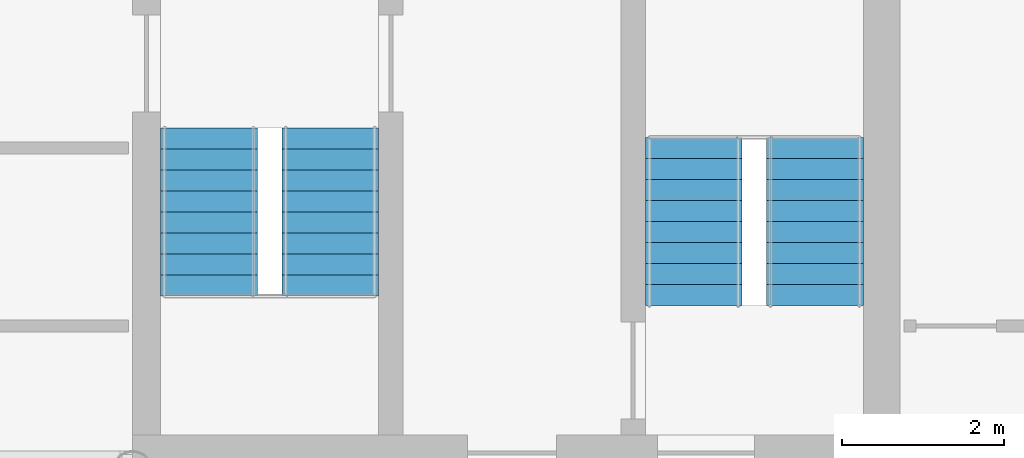
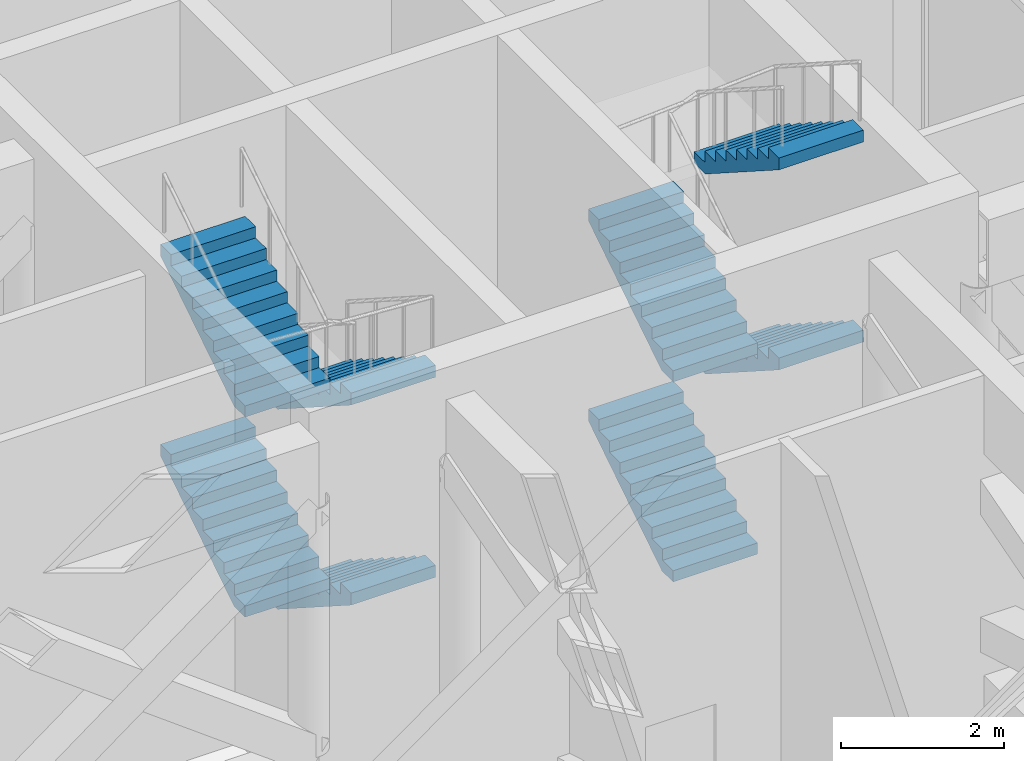
# One storey, part 17 of 21: 8 stair flights, 2 elements without a shape of their own.
"""IFC4 building model written with IfcOpenShell, lengths in metres."""

from ifc_helpers import new_model, si_unit, direction, frame, origin, place, context, subcontext, project, spatial, polyline, outline, extrude, material, type_object, element, aggregate, save


model = new_model("IFC4")

# Units and contexts
model_context = context("Model", 3, precision=1e-05, world=origin(), true_north=direction((0.0, 1.0)))
body_context = subcontext(model_context, "Body", "Model", "MODEL_VIEW")
ifc_project = project(units=[si_unit("LENGTHUNIT", "METRE"), si_unit("AREAUNIT", "SQUARE_METRE"), si_unit("VOLUMEUNIT", "CUBIC_METRE"), si_unit("PLANEANGLEUNIT", "RADIAN"), si_unit("MASSUNIT", "GRAM", prefix="KILO")], contexts=[model_context])

# Site, building, storey
site_placement = place(None, origin())
site = spatial("IfcSite", under=ifc_project, at=site_placement, CompositionType="ELEMENT")
building_placement = place(site_placement, origin())
building = spatial("IfcBuilding", under=site, at=building_placement, Name="Torana Hotel and Residences", CompositionType="ELEMENT")
storey_placement = place(building_placement, frame((0.0, 0.0, 246.60009765625)))
storey = spatial("IfcBuildingStorey", under=building, at=storey_placement, Name="L65", CompositionType="ELEMENT", Elevation=246.60009765625)

# Stair, stair flights
ifc_material_1 = material(Name="Concrete C40/50 precast", Category="concrete")
stair_type_1 = type_object("IfcStairType", Name="STAIR ST3 HALF TURN 1200", PredefinedType="HALF_TURN_STAIR", material=ifc_material_1)
stair_1_placement = place(storey_placement, origin())
stair_1 = element("IfcStair", 1, at=stair_1_placement, inside=storey, type_object=stair_type_1, Name="Stair ST3 L65", PredefinedType="HALF_TURN_STAIR")
ifc_material_2 = material(Name="Concrete C40/50 precast", Category="concrete")
stair_flight_type = type_object("IfcStairFlightType", Name="STAIR FLIGHT 1200 PRECAST", PredefinedType="STRAIGHT", material=ifc_material_2)
stair_flight_1_placement = place(storey_placement, frame((12.449951171875, -10.75, 0.0), z_axis=(0.0, 0.0, 1.0), x_axis=(0.0, -1.0, 0.0)))
stair_flight_1 = element("IfcStairFlight", 2, at=stair_flight_1_placement, type_object=stair_flight_type, Name="ST3 flight 1", NumberOfRisers=9, NumberOfTreads=8, PredefinedType="STRAIGHT", RiserHeight=0.166666667, TreadLength=0.26, context=body_context, shape_type="SweptSolid", body=[
    extrude(outline(polyline([(0.0, 0.0), (0.0, 0.166748046875), (0.260009765625, 0.166748046875), (0.260009765625, 0.333251953125), (0.52001953125, 0.333251953125), (0.52001953125, 0.5), (0.780029296875, 0.5), (0.780029296875, 0.666748046875), (1.0400390625, 0.666748046875), (1.0400390625, 0.833251953125), (1.300048828125, 0.833251953125), (1.300048828125, 1.0), (1.56005859375, 1.0), (1.56005859375, 1.166748046875), (1.820068359375, 1.166748046875), (1.820068359375, 1.333251953125), (2.080078125, 1.333251953125), (2.080078125, 1.5), (2.080078125, 1.1552734375), (0.27783203125, 0.0), (0.0, 0.0)])), frame((0.0, 0.60009765625, 0.0), z_axis=(0.0, -1.0, 0.0), x_axis=(1.0, 0.0, 0.0)), (0.0, 0.0, 1.0), 1.199951171875),
])
stair_flight_2_placement = place(storey_placement, frame((10.949951171875, -12.830078125, 1.5), z_axis=(0.0, 0.0, 1.0), x_axis=(0.0, 1.0, 0.0)))
stair_flight_2 = element("IfcStairFlight", 3, at=stair_flight_2_placement, type_object=stair_flight_type, Name="ST3 flight 2", NumberOfRisers=9, NumberOfTreads=8, PredefinedType="STRAIGHT", RiserHeight=0.166666667, TreadLength=0.26, context=body_context, shape_type="SweptSolid", body=[
    extrude(outline(polyline([(0.0, 0.0), (0.0, 0.166748046875), (0.260009765625, 0.166748046875), (0.260009765625, 0.333251953125), (0.52001953125, 0.333251953125), (0.52001953125, 0.5), (0.780029296875, 0.5), (0.780029296875, 0.666748046875), (1.0400390625, 0.666748046875), (1.0400390625, 0.833251953125), (1.300048828125, 0.833251953125), (1.300048828125, 1.0), (1.56005859375, 1.0), (1.56005859375, 1.166748046875), (1.820068359375, 1.166748046875), (1.820068359375, 1.333251953125), (2.080078125, 1.333251953125), (2.080078125, 1.5), (2.080078125, 1.1552734375), (0.27783203125, 0.0), (0.0, 0.0)])), frame((0.0, 0.60009765625, 0.0), z_axis=(0.0, -1.0, 0.0), x_axis=(1.0, 0.0, 0.0)), (0.0, 0.0, 1.0), 1.199951171875),
])
stair_flight_3_placement = place(storey_placement, frame((12.449951171875, -10.75, 3.0), z_axis=(0.0, 0.0, 1.0), x_axis=(0.0, -1.0, 0.0)))
stair_flight_3 = element("IfcStairFlight", 4, at=stair_flight_3_placement, type_object=stair_flight_type, Name="ST3 flight 3", NumberOfRisers=9, NumberOfTreads=8, PredefinedType="STRAIGHT", RiserHeight=0.166666667, TreadLength=0.26, context=body_context, shape_type="SweptSolid", body=[
    extrude(outline(polyline([(0.0, 0.0), (0.0, 0.166748046875), (0.260009765625, 0.166748046875), (0.260009765625, 0.333251953125), (0.52001953125, 0.333251953125), (0.52001953125, 0.5), (0.780029296875, 0.5), (0.780029296875, 0.666748046875), (1.0400390625, 0.666748046875), (1.0400390625, 0.833251953125), (1.300048828125, 0.833251953125), (1.300048828125, 1.0), (1.56005859375, 1.0), (1.56005859375, 1.166748046875), (1.820068359375, 1.166748046875), (1.820068359375, 1.333251953125), (2.080078125, 1.333251953125), (2.080078125, 1.5), (2.080078125, 1.1552734375), (0.27783203125, 0.0), (0.0, 0.0)])), frame((0.0, 0.60009765625, 0.0), z_axis=(0.0, -1.0, 0.0), x_axis=(1.0, 0.0, 0.0)), (0.0, 0.0, 1.0), 1.199951171875),
])
stair_flight_4_placement = place(storey_placement, frame((10.949951171875, -12.830078125, 4.5), z_axis=(0.0, 0.0, 1.0), x_axis=(0.0, 1.0, 0.0)))
stair_flight_4 = element("IfcStairFlight", 5, at=stair_flight_4_placement, type_object=stair_flight_type, Name="ST3 flight 4", NumberOfRisers=9, NumberOfTreads=8, PredefinedType="STRAIGHT", RiserHeight=0.166666667, TreadLength=0.26, context=body_context, shape_type="SweptSolid", body=[
    extrude(outline(polyline([(0.0, 0.0), (0.0, 0.166748046875), (0.260009765625, 0.166748046875), (0.260009765625, 0.333251953125), (0.52001953125, 0.333251953125), (0.52001953125, 0.5), (0.780029296875, 0.5), (0.780029296875, 0.666748046875), (1.0400390625, 0.666748046875), (1.0400390625, 0.833251953125), (1.300048828125, 0.833251953125), (1.300048828125, 1.0), (1.56005859375, 1.0), (1.56005859375, 1.166748046875), (1.820068359375, 1.166748046875), (1.820068359375, 1.333251953125), (2.080078125, 1.333251953125), (2.080078125, 1.5), (2.080078125, 1.1552734375), (0.27783203125, 0.0), (0.0, 0.0)])), frame((0.0, 0.60009765625, 0.0), z_axis=(0.0, -1.0, 0.0), x_axis=(1.0, 0.0, 0.0)), (0.0, 0.0, 1.0), 1.199951171875),
])
aggregate(stair_1, [stair_flight_1, stair_flight_2, stair_flight_3, stair_flight_4])

ifc_material_3 = material(Name="Concrete C40/50 precast", Category="concrete")
stair_type_2 = type_object("IfcStairType", Name="STAIR ST4 HALF TURN 1200", PredefinedType="HALF_TURN_STAIR", material=ifc_material_3)
stair_2_placement = place(storey_placement, origin())
stair_2 = element("IfcStair", 6, at=stair_2_placement, inside=storey, type_object=stair_type_2, Name="Stair ST4 L65", PredefinedType="HALF_TURN_STAIR")
stair_flight_5_placement = place(storey_placement, frame((16.949951171875, -12.949951171875, 0.0), z_axis=(0.0, 0.0, 1.0), x_axis=(0.0, 1.0, 0.0)))
stair_flight_5 = element("IfcStairFlight", 7, at=stair_flight_5_placement, type_object=stair_flight_type, Name="ST4 flight 1", NumberOfRisers=9, NumberOfTreads=8, PredefinedType="STRAIGHT", RiserHeight=0.166666667, TreadLength=0.26, context=body_context, shape_type="SweptSolid", body=[
    extrude(outline(polyline([(0.0, 0.0), (0.0, 0.166748046875), (0.260009765625, 0.166748046875), (0.260009765625, 0.333251953125), (0.52001953125, 0.333251953125), (0.52001953125, 0.5), (0.780029296875, 0.5), (0.780029296875, 0.666748046875), (1.0400390625, 0.666748046875), (1.0400390625, 0.833251953125), (1.300048828125, 0.833251953125), (1.300048828125, 1.0), (1.56005859375, 1.0), (1.56005859375, 1.166748046875), (1.820068359375, 1.166748046875), (1.820068359375, 1.333251953125), (2.080078125, 1.333251953125), (2.080078125, 1.5), (2.080078125, 1.1552734375), (0.27783203125, 0.0), (0.0, 0.0)])), frame((0.0, 0.60009765625, 0.0), z_axis=(0.0, -1.0, 0.0), x_axis=(1.0, 0.0, 0.0)), (0.0, 0.0, 1.0), 1.199951171875),
])
stair_flight_6_placement = place(storey_placement, frame((18.449951171875, -10.8701171875, 1.5), z_axis=(0.0, 0.0, 1.0), x_axis=(0.0, -1.0, 0.0)))
stair_flight_6 = element("IfcStairFlight", 8, at=stair_flight_6_placement, type_object=stair_flight_type, Name="ST4 flight 2", NumberOfRisers=9, NumberOfTreads=8, PredefinedType="STRAIGHT", RiserHeight=0.166666667, TreadLength=0.26, context=body_context, shape_type="SweptSolid", body=[
    extrude(outline(polyline([(0.0, 0.0), (0.0, 0.166748046875), (0.260009765625, 0.166748046875), (0.260009765625, 0.333251953125), (0.52001953125, 0.333251953125), (0.52001953125, 0.5), (0.780029296875, 0.5), (0.780029296875, 0.666748046875), (1.0400390625, 0.666748046875), (1.0400390625, 0.833251953125), (1.300048828125, 0.833251953125), (1.300048828125, 1.0), (1.56005859375, 1.0), (1.56005859375, 1.166748046875), (1.820068359375, 1.166748046875), (1.820068359375, 1.333251953125), (2.080078125, 1.333251953125), (2.080078125, 1.5), (2.080078125, 1.1552734375), (0.27783203125, 0.0), (0.0, 0.0)])), frame((0.0, 0.60009765625, 0.0), z_axis=(0.0, -1.0, 0.0), x_axis=(1.0, 0.0, 0.0)), (0.0, 0.0, 1.0), 1.199951171875),
])
stair_flight_7_placement = place(storey_placement, frame((16.949951171875, -12.949951171875, 3.0), z_axis=(0.0, 0.0, 1.0), x_axis=(0.0, 1.0, 0.0)))
stair_flight_7 = element("IfcStairFlight", 9, at=stair_flight_7_placement, type_object=stair_flight_type, Name="ST4 flight 3", NumberOfRisers=9, NumberOfTreads=8, PredefinedType="STRAIGHT", RiserHeight=0.166666667, TreadLength=0.26, context=body_context, shape_type="SweptSolid", body=[
    extrude(outline(polyline([(0.0, 0.0), (0.0, 0.166748046875), (0.260009765625, 0.166748046875), (0.260009765625, 0.333251953125), (0.52001953125, 0.333251953125), (0.52001953125, 0.5), (0.780029296875, 0.5), (0.780029296875, 0.666748046875), (1.0400390625, 0.666748046875), (1.0400390625, 0.833251953125), (1.300048828125, 0.833251953125), (1.300048828125, 1.0), (1.56005859375, 1.0), (1.56005859375, 1.166748046875), (1.820068359375, 1.166748046875), (1.820068359375, 1.333251953125), (2.080078125, 1.333251953125), (2.080078125, 1.5), (2.080078125, 1.1552734375), (0.27783203125, 0.0), (0.0, 0.0)])), frame((0.0, 0.60009765625, 0.0), z_axis=(0.0, -1.0, 0.0), x_axis=(1.0, 0.0, 0.0)), (0.0, 0.0, 1.0), 1.199951171875),
])
stair_flight_8_placement = place(storey_placement, frame((18.449951171875, -10.8701171875, 4.5), z_axis=(0.0, 0.0, 1.0), x_axis=(0.0, -1.0, 0.0)))
stair_flight_8 = element("IfcStairFlight", 10, at=stair_flight_8_placement, type_object=stair_flight_type, Name="ST4 flight 4", NumberOfRisers=9, NumberOfTreads=8, PredefinedType="STRAIGHT", RiserHeight=0.166666667, TreadLength=0.26, context=body_context, shape_type="SweptSolid", body=[
    extrude(outline(polyline([(0.0, 0.0), (0.0, 0.166748046875), (0.260009765625, 0.166748046875), (0.260009765625, 0.333251953125), (0.52001953125, 0.333251953125), (0.52001953125, 0.5), (0.780029296875, 0.5), (0.780029296875, 0.666748046875), (1.0400390625, 0.666748046875), (1.0400390625, 0.833251953125), (1.300048828125, 0.833251953125), (1.300048828125, 1.0), (1.56005859375, 1.0), (1.56005859375, 1.166748046875), (1.820068359375, 1.166748046875), (1.820068359375, 1.333251953125), (2.080078125, 1.333251953125), (2.080078125, 1.5), (2.080078125, 1.1552734375), (0.27783203125, 0.0), (0.0, 0.0)])), frame((0.0, 0.60009765625, 0.0), z_axis=(0.0, -1.0, 0.0), x_axis=(1.0, 0.0, 0.0)), (0.0, 0.0, 1.0), 1.199951171875),
])
aggregate(stair_2, [stair_flight_5, stair_flight_6, stair_flight_7, stair_flight_8])

save(model, "model.ifc")
